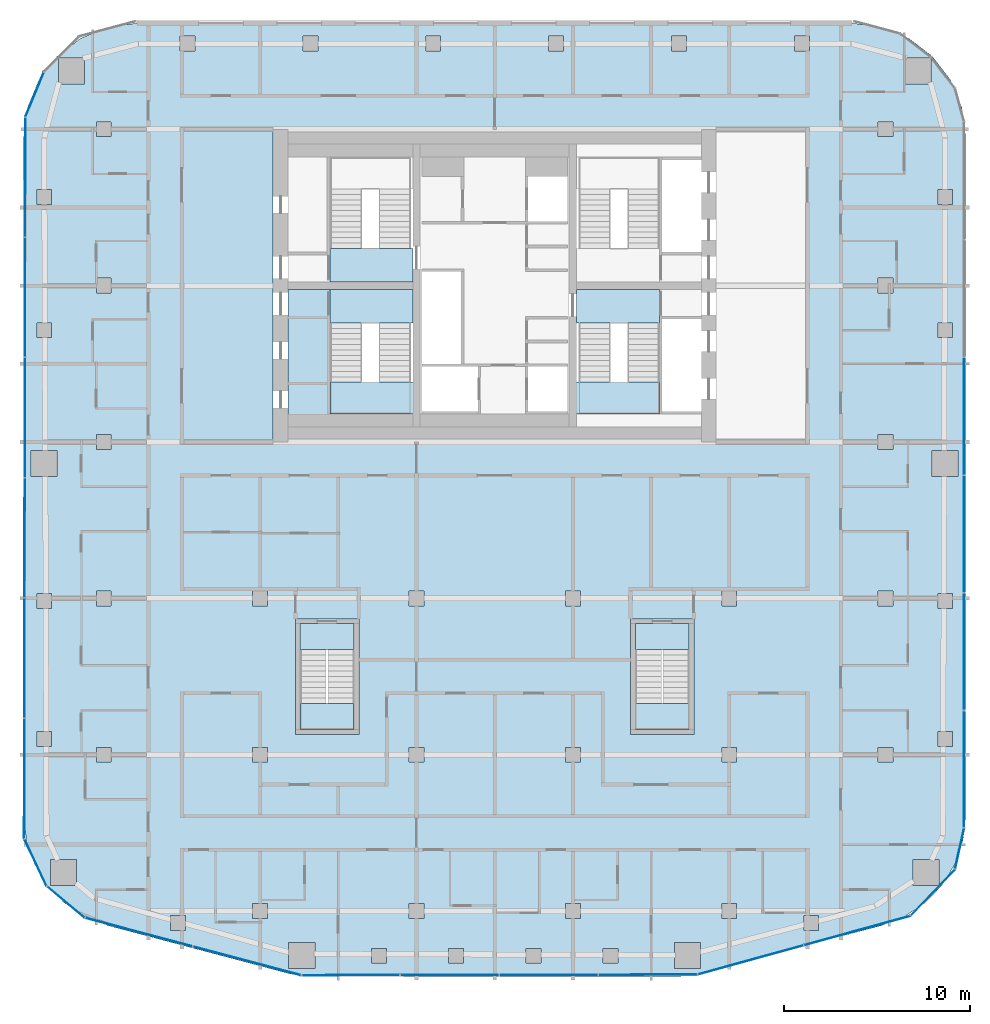
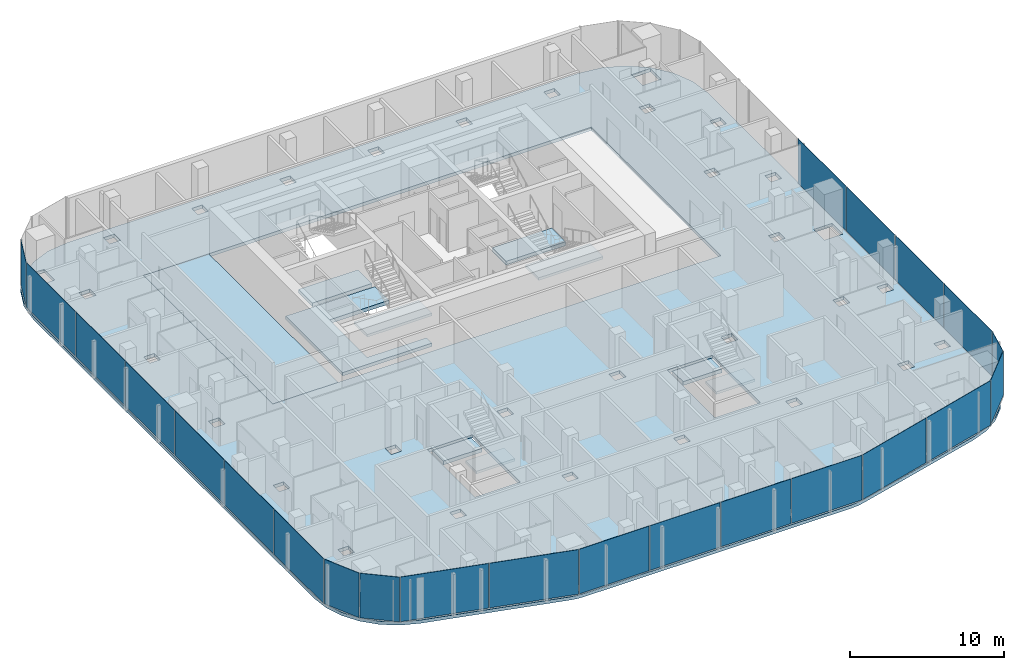
# One storey, part 12 of 22: 23 plates, 12 slabs, 14 elements without a shape of their own.
"""IFC4 building model written with IfcOpenShell, lengths in metres."""

import ifcopenshell
import ifcopenshell.guid

model = None  # the IFC model being written
_history = None  # IfcOwnerHistory: only IFC2X3 demands one
_inside = {}  # id of a spatial element -> (the spatial element, [elements in it])
_under = {}  # id of a project, library or spatial element -> (it, [spatial elements below it])
_declared = {}  # id of a project -> (the project, [libraries it declares])
_typed = {}  # id of a type object -> (the type object, [elements of that type])
_made_of = {}  # id of a material, layer set ... -> (it, [elements and type objects made of it])


def new_model(schema):
    """Start an empty IFC model of exactly this schema.

    Asked for "IFC4X3", IfcOpenShell would pick the latest addendum, in which some entities
    have other attributes; the version numbers below select the first issue.
    IFC2X3 requires an IfcOwnerHistory on every rooted entity: one is made here for all.
    """
    global model, _history
    if schema == "IFC4X3":
        model = ifcopenshell.file(schema_version=(4, 3, 0, 0))
    else:
        model = ifcopenshell.file(schema=schema)
    _inside.clear()
    _under.clear()
    _declared.clear()
    _typed.clear()
    _made_of.clear()
    _history = None
    if model.schema == "IFC2X3":
        org = make("IfcOrganization", Name="unknown")
        user = make(
            "IfcPersonAndOrganization",
            ThePerson=make("IfcPerson", FamilyName="unknown"),
            TheOrganization=org,
        )
        app = make(
            "IfcApplication",
            ApplicationDeveloper=org,
            Version="unknown",
            ApplicationFullName="unknown",
            ApplicationIdentifier="unknown",
        )
        _history = make(
            "IfcOwnerHistory",
            OwningUser=user,
            OwningApplication=app,
            ChangeAction="ADDED",
            CreationDate=0,
        )
    return model


def make(cls, **values):
    """One entity of the class cls with the attributes given. An attribute that is None is left unset."""
    return model.create_entity(
        cls, **{name: value for name, value in values.items() if value is not None}
    )


def rooted(cls, **values):
    """An entity with a GlobalId (a new one), such as an element, a storey or a relation."""
    return make(cls, GlobalId=ifcopenshell.guid.new(), OwnerHistory=_history, **values)


def si_unit(unit_type, name, prefix=None):
    """IfcSIUnit, for example si_unit("LENGTHUNIT", "METRE", prefix="MILLI")."""
    return make("IfcSIUnit", UnitType=unit_type, Prefix=prefix, Name=name)


def assignment(units):
    """IfcUnitAssignment: the units of a project."""
    return None if units is None else make("IfcUnitAssignment", Units=units)


def point(xyz):
    """IfcCartesianPoint."""
    return None if xyz is None else make("IfcCartesianPoint", Coordinates=xyz)


def direction(xyz):
    """IfcDirection."""
    return None if xyz is None else make("IfcDirection", DirectionRatios=xyz)


def frame(location, z_axis=None, x_axis=None):
    """IfcAxis2Placement3D, a coordinate frame: its origin and axes. An axis left out is left unset."""
    return make(
        "IfcAxis2Placement3D",
        Location=point(location),
        Axis=direction(z_axis),
        RefDirection=direction(x_axis),
    )


def frame_2d(location, x_axis=None):
    """IfcAxis2Placement2D, a coordinate frame in the plane: its origin and x axis."""
    return make(
        "IfcAxis2Placement2D", Location=point(location), RefDirection=direction(x_axis)
    )


def origin():
    """The frame at (0, 0, 0) with its axes left unset."""
    return frame((0.0, 0.0, 0.0))


def origin_2d():
    """The frame at (0, 0) in the plane with its x axis left unset."""
    return frame_2d((0.0, 0.0))


def place(relative_to, where):
    """IfcLocalPlacement: puts the frame where relative to a parent placement (None: the world)."""
    return make(
        "IfcLocalPlacement", PlacementRelTo=relative_to, RelativePlacement=where
    )


def context(
    kind, dimensions, precision=None, world=None, true_north=None, identifier=None
):
    """IfcGeometricRepresentationContext, for example the 3D "Model" context."""
    return make(
        "IfcGeometricRepresentationContext",
        ContextIdentifier=identifier,
        ContextType=kind,
        CoordinateSpaceDimension=dimensions,
        Precision=precision,
        WorldCoordinateSystem=world,
        TrueNorth=true_north,
    )


def subcontext(parent, identifier, kind, view, scale=None):
    """IfcGeometricRepresentationSubContext, for example "Body" below "Model"."""
    return make(
        "IfcGeometricRepresentationSubContext",
        ContextIdentifier=identifier,
        ContextType=kind,
        ParentContext=parent,
        TargetScale=scale,
        TargetView=view,
    )


def project(units=None, contexts=None):
    """IfcProject with its units and contexts."""
    return rooted(
        "IfcProject",
        Name="project",
        RepresentationContexts=contexts,
        UnitsInContext=assignment(units),
    )


def spatial(cls, under=None, at=None, **own):
    """A site, building, storey or space (cls), placed at a placement, below another one or the project."""
    s = rooted(cls, ObjectPlacement=at, **own)
    if under is not None:
        _under.setdefault(under.id(), (under, []))[1].append(s)
    return s


def polyline(points):
    """IfcPolyline through the points."""
    return make("IfcPolyline", Points=[point(p) for p in points])


def profile(cls, at=None, kind="AREA", **sizes):
    """A parametric profile (cls). Its sizes go by their IFC names, for example OverallWidth=200.0."""
    return make(cls, ProfileType=kind, Position=at, **sizes)


def rectangle(**sizes):
    """IfcRectangleProfileDef."""
    return profile("IfcRectangleProfileDef", **sizes)


def outline(outer, holes=None, kind="AREA"):
    """IfcArbitraryClosedProfileDef: a profile drawn as a closed curve; with holes, ...WithVoids."""
    if holes is None:
        return make("IfcArbitraryClosedProfileDef", ProfileType=kind, OuterCurve=outer)
    return make(
        "IfcArbitraryProfileDefWithVoids",
        ProfileType=kind,
        OuterCurve=outer,
        InnerCurves=holes,
    )


def extrude(swept, where, along, depth):
    """IfcExtrudedAreaSolid: the profile swept, set in the frame where, extruded along a direction by depth."""
    return make(
        "IfcExtrudedAreaSolid",
        SweptArea=swept,
        Position=where,
        ExtrudedDirection=direction(along),
        Depth=depth,
    )


def shape(context_of_items, identifier, shape_type, items):
    """IfcShapeRepresentation: the items that make up one representation, for example the "Body"."""
    return make(
        "IfcShapeRepresentation",
        ContextOfItems=context_of_items,
        RepresentationIdentifier=identifier,
        RepresentationType=shape_type,
        Items=items,
    )


def material(Name=None, Category=None):
    """IfcMaterial."""
    return make("IfcMaterial", Name=Name, Category=Category)


def layer(
    of_material, thickness, ventilated=None, Name=None, Category=None, Priority=None
):
    """IfcMaterialLayer: one layer of a wall or slab, of a material (None: an air gap)."""
    return make(
        "IfcMaterialLayer",
        Material=of_material,
        LayerThickness=thickness,
        IsVentilated=ventilated,
        Name=Name,
        Category=Category,
        Priority=Priority,
    )


def layer_set(layers, Name=None):
    """IfcMaterialLayerSet."""
    return make("IfcMaterialLayerSet", MaterialLayers=layers, LayerSetName=Name)


def made_of(thing, what):
    """Note that an element or type object is made of a material, layer set ...; save() writes the relation."""
    if what is not None:
        _made_of.setdefault(what.id(), (what, []))[1].append(thing)
    return thing


def type_object(cls, material=None, **own):
    """A type object (cls), such as IfcWallType, which elements share."""
    return made_of(rooted(cls, **own), material)


def element(
    cls,
    number,
    at=None,
    inside=None,
    cuts=None,
    type_object=None,
    material=None,
    context=None,
    identifier="Body",
    shape_type=None,
    held_by="IfcProductDefinitionShape",
    body=None,
    shapes=None,
    **own,
):
    """One element of the class cls, such as IfcWall. Its Tag is "e" and its number.

    at: its placement. inside: the storey or other place that contains it. cuts: it is an
    opening in that element (IfcRelVoidsElement). A single representation is given by context,
    identifier, shape_type and body (its items); several are given by shapes. held_by: the class
    of the entity that holds the representations. save() writes the other relations.
    """
    e = rooted(cls, Tag="e%d" % number, ObjectPlacement=at, **own)
    if body is not None:
        shapes = [shape(context, identifier, shape_type, body)]
    if shapes is not None:
        e.Representation = make(held_by, Representations=shapes)
    if inside is not None:
        _inside.setdefault(inside.id(), (inside, []))[1].append(e)
    if cuts is not None:
        rooted(
            "IfcRelVoidsElement", RelatingBuildingElement=cuts, RelatedOpeningElement=e
        )
    if type_object is not None:
        _typed.setdefault(type_object.id(), (type_object, []))[1].append(e)
    return made_of(e, material)


def aggregate(whole, parts):
    """IfcRelAggregates: a whole, such as a stair, and the parts it consists of."""
    return rooted("IfcRelAggregates", RelatingObject=whole, RelatedObjects=parts)


def save(model, path):
    """Write the relations noted so far, then the file.

    IfcRelAggregates (storeys below a building ...), IfcRelContainedInSpatialStructure (elements
    in a storey), IfcRelDefinesByType, IfcRelAssociatesMaterial and IfcRelDeclares: one each for
    every whole, place, type object, material and project.
    """
    for whole, parts in _under.values():
        aggregate(whole, parts)
    for where, things in _inside.values():
        rooted(
            "IfcRelContainedInSpatialStructure",
            RelatedElements=things,
            RelatingStructure=where,
        )
    for kind, things in _typed.values():
        rooted("IfcRelDefinesByType", RelatedObjects=things, RelatingType=kind)
    for what, things in _made_of.values():
        rooted("IfcRelAssociatesMaterial", RelatedObjects=things, RelatingMaterial=what)
    for by, libraries in _declared.values():
        rooted("IfcRelDeclares", RelatingContext=by, RelatedDefinitions=libraries)
    model.write(path)


model = new_model("IFC4")

# Units and contexts
model_context = context("Model", 3, precision=1e-05, world=origin(), true_north=direction((0.0, 1.0)))
body_context = subcontext(model_context, "Body", "Model", "MODEL_VIEW")
ifc_project = project(units=[si_unit("LENGTHUNIT", "METRE"), si_unit("AREAUNIT", "SQUARE_METRE"), si_unit("VOLUMEUNIT", "CUBIC_METRE"), si_unit("PLANEANGLEUNIT", "RADIAN"), si_unit("MASSUNIT", "GRAM", prefix="KILO")], contexts=[model_context])

# Site, building, storey
site_placement = place(None, origin())
site = spatial("IfcSite", under=ifc_project, at=site_placement, CompositionType="ELEMENT")
building_placement = place(site_placement, origin())
building = spatial("IfcBuilding", under=site, at=building_placement, Name="Marenta Gate Hotel Tower", CompositionType="ELEMENT")
storey_placement = place(building_placement, frame((0.0, 0.0, 238.10009765625)))
storey = spatial("IfcBuildingStorey", under=building, at=storey_placement, Name="L56", CompositionType="ELEMENT", Elevation=238.10009765625)

# Slabs
ifc_material_1 = material(Name="Concrete C35", Category="concrete")
ifc_layer_1 = layer(ifc_material_1, 0.260009765625)
ifc_layer_set_1 = layer_set([ifc_layer_1], Name="Concrete C35")
slab_type_1 = type_object("IfcSlabType", Name="Concrete floor slab 260", PredefinedType="FLOOR", material=ifc_layer_set_1)
slab_1_placement = place(storey_placement, frame((0.0, 0.0, -0.260009765625)))
element("IfcSlab", 1, at=slab_1_placement, inside=storey, type_object=slab_type_1, Name="L56-SL-1", PredefinedType="FLOOR", context=body_context, shape_type="SweptSolid", body=[
    extrude(outline(polyline([(-23.11376953125, -24.76416015625), (-24.035400390625, -23.803955078125), (-24.72705078125, -22.6669921875), (-25.155517578125, -21.4072265625), (-25.300048828125, -20.08984375), (-25.300048828125, 16.406494140625), (-25.093017578125, 17.97900390625), (-24.483642578125, 19.450439453125), (-23.513916015625, 20.7138671875), (-22.25048828125, 21.68359375), (-20.779052734375, 22.29296875), (-19.20654296875, 22.5), (19.20654296875, 22.5), (20.779052734375, 22.29296875), (22.25048828125, 21.68359375), (23.513916015625, 20.7138671875), (24.483642578125, 19.450439453125), (25.093017578125, 17.97900390625), (25.300048828125, 16.406494140625), (25.300048828125, -20.08984375), (25.155517578125, -21.4072265625), (24.72705078125, -22.6669921875), (24.035400390625, -23.803955078125), (23.11376953125, -24.76416015625), (22.005859375, -25.501220703125), (20.76953125, -25.978759765625), (11.026611328125, -28.563720703125), (10.508544921875, -28.665771484375), (9.981689453125, -28.699951171875), (-9.981689453125, -28.699951171875), (-10.508544921875, -28.665771484375), (-11.026611328125, -28.563720703125), (-20.76953125, -25.978759765625), (-22.005859375, -25.501220703125), (-23.11376953125, -24.76416015625)]), holes=[polyline([(-16.800048828125, 0.0), (16.800048828125, 0.0), (16.800048828125, 16.800048828125), (-16.800048828125, 16.800048828125), (-16.800048828125, 0.0)]), polyline([(-16.606689453125, -25.439208984375), (-17.40673828125, -25.439208984375), (-17.40673828125, -26.239013671875), (-16.606689453125, -26.239013671875), (-16.606689453125, -25.439208984375)]), polyline([(-12.199951171875, -25.60009765625), (-12.199951171875, -24.800048828125), (-13.0, -24.800048828125), (-13.0, -25.60009765625), (-12.199951171875, -25.60009765625)]), polyline([(-22.462890625, -23.8330078125), (-22.462890625, -22.43310546875), (-23.863037109375, -22.43310546875), (-23.863037109375, -23.8330078125), (-22.462890625, -23.8330078125)]), polyline([(-12.199951171875, -16.39990234375), (-13.0, -16.39990234375), (-13.0, -17.199951171875), (-12.199951171875, -17.199951171875), (-12.199951171875, -16.39990234375)]), polyline([(-20.60009765625, -17.199951171875), (-20.60009765625, -16.39990234375), (-21.39990234375, -16.39990234375), (-21.39990234375, -17.199951171875), (-20.60009765625, -17.199951171875)]), polyline([(-23.800048828125, -16.351806640625), (-23.800048828125, -15.552001953125), (-24.60009765625, -15.552001953125), (-24.60009765625, -16.351806640625), (-23.800048828125, -16.351806640625)]), polyline([(-23.800048828125, -8.15087890625), (-24.60009765625, -8.15087890625), (-24.60009765625, -8.950927734375), (-23.800048828125, -8.950927734375), (-23.800048828125, -8.15087890625)]), polyline([(-12.199951171875, -8.800048828125), (-12.199951171875, -8.0), (-13.0, -8.0), (-13.0, -8.800048828125), (-12.199951171875, -8.800048828125)]), polyline([(-20.60009765625, -8.800048828125), (-20.60009765625, -8.0), (-21.39990234375, -8.0), (-21.39990234375, -8.800048828125), (-20.60009765625, -8.800048828125)]), polyline([(-23.5, -0.449951171875), (-24.89990234375, -0.449951171875), (-24.89990234375, -1.85009765625), (-23.5, -1.85009765625), (-23.5, -0.449951171875)]), polyline([(-20.60009765625, -0.39990234375), (-20.60009765625, 0.39990234375), (-21.39990234375, 0.39990234375), (-21.39990234375, -0.39990234375), (-20.60009765625, -0.39990234375)]), polyline([(-23.800048828125, 5.603271484375), (-23.800048828125, 6.4033203125), (-24.60009765625, 6.4033203125), (-24.60009765625, 5.603271484375), (-23.800048828125, 5.603271484375)]), polyline([(-20.60009765625, 8.800048828125), (-21.39990234375, 8.800048828125), (-21.39990234375, 8.0), (-20.60009765625, 8.0), (-20.60009765625, 8.800048828125)]), polyline([(-23.800048828125, 12.75634765625), (-23.800048828125, 13.556396484375), (-24.60009765625, 13.556396484375), (-24.60009765625, 12.75634765625), (-23.800048828125, 12.75634765625)]), polyline([(-20.60009765625, 16.39990234375), (-20.60009765625, 17.199951171875), (-21.39990234375, 17.199951171875), (-21.39990234375, 16.39990234375), (-20.60009765625, 16.39990234375)]), polyline([(-22.035400390625, 20.635498046875), (-23.435546875, 20.635498046875), (-23.435546875, 19.235595703125), (-22.035400390625, 19.235595703125), (-22.035400390625, 20.635498046875)]), polyline([(-16.10693359375, 21.0), (-16.10693359375, 21.800048828125), (-16.906982421875, 21.800048828125), (-16.906982421875, 21.0), (-16.10693359375, 21.0)]), polyline([(-5.820068359375, -28.0), (-5.820068359375, -27.199951171875), (-6.6201171875, -27.199951171875), (-6.6201171875, -28.0), (-5.820068359375, -28.0)]), polyline([(6.6201171875, -27.199951171875), (5.820068359375, -27.199951171875), (5.820068359375, -28.0), (6.6201171875, -28.0), (6.6201171875, -27.199951171875)]), polyline([(2.473388671875, -28.0), (2.473388671875, -27.199951171875), (1.67333984375, -27.199951171875), (1.67333984375, -28.0), (2.473388671875, -28.0)]), polyline([(-1.67333984375, -28.0), (-1.67333984375, -27.199951171875), (-2.473388671875, -27.199951171875), (-2.473388671875, -28.0), (-1.67333984375, -28.0)]), polyline([(-9.666259765625, -28.27490234375), (-9.666259765625, -26.874755859375), (-11.06640625, -26.874755859375), (-11.06640625, -28.27490234375), (-9.666259765625, -28.27490234375)]), polyline([(11.06640625, -28.27490234375), (11.06640625, -26.874755859375), (9.666259765625, -26.874755859375), (9.666259765625, -28.27490234375), (11.06640625, -28.27490234375)]), polyline([(13.0, -25.60009765625), (13.0, -24.800048828125), (12.199951171875, -24.800048828125), (12.199951171875, -25.60009765625), (13.0, -25.60009765625)]), polyline([(4.60009765625, -25.60009765625), (4.60009765625, -24.800048828125), (3.800048828125, -24.800048828125), (3.800048828125, -25.60009765625), (4.60009765625, -25.60009765625)]), polyline([(-3.800048828125, -24.800048828125), (-4.60009765625, -24.800048828125), (-4.60009765625, -25.60009765625), (-3.800048828125, -25.60009765625), (-3.800048828125, -24.800048828125)]), polyline([(4.60009765625, -17.199951171875), (4.60009765625, -16.39990234375), (3.800048828125, -16.39990234375), (3.800048828125, -17.199951171875), (4.60009765625, -17.199951171875)]), polyline([(-3.800048828125, -17.199951171875), (-3.800048828125, -16.39990234375), (-4.60009765625, -16.39990234375), (-4.60009765625, -17.199951171875), (-3.800048828125, -17.199951171875)]), polyline([(4.60009765625, -8.0), (3.800048828125, -8.0), (3.800048828125, -8.800048828125), (4.60009765625, -8.800048828125), (4.60009765625, -8.0)]), polyline([(-3.800048828125, -8.800048828125), (-3.800048828125, -8.0), (-4.60009765625, -8.0), (-4.60009765625, -8.800048828125), (-3.800048828125, -8.800048828125)]), polyline([(-2.9013671875, 21.0), (-2.9013671875, 21.800048828125), (-3.701416015625, 21.800048828125), (-3.701416015625, 21.0), (-2.9013671875, 21.0)]), polyline([(3.701416015625, 21.800048828125), (2.9013671875, 21.800048828125), (2.9013671875, 21.0), (3.701416015625, 21.0), (3.701416015625, 21.800048828125)]), polyline([(10.30419921875, 21.0), (10.30419921875, 21.800048828125), (9.504150390625, 21.800048828125), (9.504150390625, 21.0), (10.30419921875, 21.0)]), polyline([(-9.504150390625, 21.0), (-9.504150390625, 21.800048828125), (-10.30419921875, 21.800048828125), (-10.30419921875, 21.0), (-9.504150390625, 21.0)]), polyline([(17.40673828125, -25.439208984375), (16.606689453125, -25.439208984375), (16.606689453125, -26.239013671875), (17.40673828125, -26.239013671875), (17.40673828125, -25.439208984375)]), polyline([(23.863037109375, -23.8330078125), (23.863037109375, -22.43310546875), (22.462890625, -22.43310546875), (22.462890625, -23.8330078125), (23.863037109375, -23.8330078125)]), polyline([(13.0, -17.199951171875), (13.0, -16.39990234375), (12.199951171875, -16.39990234375), (12.199951171875, -17.199951171875), (13.0, -17.199951171875)]), polyline([(21.39990234375, -16.39990234375), (20.60009765625, -16.39990234375), (20.60009765625, -17.199951171875), (21.39990234375, -17.199951171875), (21.39990234375, -16.39990234375)]), polyline([(24.60009765625, -16.351806640625), (24.60009765625, -15.552001953125), (23.800048828125, -15.552001953125), (23.800048828125, -16.351806640625), (24.60009765625, -16.351806640625)]), polyline([(24.60009765625, -8.950927734375), (24.60009765625, -8.15087890625), (23.800048828125, -8.15087890625), (23.800048828125, -8.950927734375), (24.60009765625, -8.950927734375)]), polyline([(13.0, -8.0), (12.199951171875, -8.0), (12.199951171875, -8.800048828125), (13.0, -8.800048828125), (13.0, -8.0)]), polyline([(21.39990234375, -8.800048828125), (21.39990234375, -8.0), (20.60009765625, -8.0), (20.60009765625, -8.800048828125), (21.39990234375, -8.800048828125)]), polyline([(24.89990234375, -1.85009765625), (24.89990234375, -0.449951171875), (23.5, -0.449951171875), (23.5, -1.85009765625), (24.89990234375, -1.85009765625)]), polyline([(21.39990234375, 0.39990234375), (20.60009765625, 0.39990234375), (20.60009765625, -0.39990234375), (21.39990234375, -0.39990234375), (21.39990234375, 0.39990234375)]), polyline([(24.60009765625, 5.603271484375), (24.60009765625, 6.4033203125), (23.800048828125, 6.4033203125), (23.800048828125, 5.603271484375), (24.60009765625, 5.603271484375)]), polyline([(21.39990234375, 8.0), (21.39990234375, 8.800048828125), (20.60009765625, 8.800048828125), (20.60009765625, 8.0), (21.39990234375, 8.0)]), polyline([(24.60009765625, 12.75634765625), (24.60009765625, 13.556396484375), (23.800048828125, 13.556396484375), (23.800048828125, 12.75634765625), (24.60009765625, 12.75634765625)]), polyline([(21.39990234375, 16.39990234375), (21.39990234375, 17.199951171875), (20.60009765625, 17.199951171875), (20.60009765625, 16.39990234375), (21.39990234375, 16.39990234375)]), polyline([(23.435546875, 19.235595703125), (23.435546875, 20.635498046875), (22.035400390625, 20.635498046875), (22.035400390625, 19.235595703125), (23.435546875, 19.235595703125)]), polyline([(16.906982421875, 21.0), (16.906982421875, 21.800048828125), (16.10693359375, 21.800048828125), (16.10693359375, 21.0), (16.906982421875, 21.0)]), polyline([(-7.300048828125, -15.699951171875), (-7.300048828125, -9.5), (-10.699951171875, -9.5), (-10.699951171875, -15.699951171875), (-7.300048828125, -15.699951171875)]), polyline([(10.699951171875, -15.699951171875), (10.699951171875, -9.5), (7.300048828125, -9.5), (7.300048828125, -15.699951171875), (10.699951171875, -15.699951171875)])]), origin(), (0.0, 0.0, 1.0), 0.260009765625),
])
ifc_material_2 = material(Name="Concrete C40", Category="concrete")
ifc_layer_2 = layer(ifc_material_2, 0.260009765625)
ifc_layer_set_2 = layer_set([ifc_layer_2], Name="Concrete C40")
slab_type_2 = type_object("IfcSlabType", Name="Core floor slab 260", PredefinedType="FLOOR", material=ifc_layer_set_2)
slab_2_placement = place(storey_placement, frame((0.0, 0.0, -0.260009765625)))
element("IfcSlab", 2, at=slab_2_placement, inside=storey, type_object=slab_type_2, Name="L56-CF-5", PredefinedType="FLOOR", context=body_context, shape_type="SweptSolid", body=[
    extrude(outline(polyline([(-8.85009765625, 8.199951171875), (-8.85009765625, 8.10009765625), (-8.85009765625, 6.39990234375), (-8.85009765625, 1.5), (-4.39990234375, 1.5), (-4.39990234375, 0.800048828125), (-11.10009765625, 0.800048828125), (-11.10009765625, 8.199951171875), (-8.85009765625, 8.199951171875)])), origin(), (0.0, 0.0, 1.0), 0.260009765625),
])
slab_3_placement = place(storey_placement, frame((0.0, 0.0, -0.260009765625)))
element("IfcSlab", 3, at=slab_3_placement, inside=storey, type_object=slab_type_2, Name="L56-CF-7", PredefinedType="FLOOR", context=body_context, shape_type="SweptSolid", body=[
    extrude(outline(polyline([(-11.89990234375, 16.800048828125), (-11.89990234375, 0.0), (-16.800048828125, 0.0), (-16.800048828125, 16.800048828125), (-11.89990234375, 16.800048828125)])), origin(), (0.0, 0.0, 1.0), 0.260009765625),
])

# Stair, slab
ifc_material_3 = material(Name="Concrete C40", Category="concrete")
stair_type_1 = type_object("IfcStairType", Name="Core exit stair 1700 wide", PredefinedType="HALF_TURN_STAIR", material=ifc_material_3)
stair_1_placement = place(storey_placement, origin())
stair_1 = element("IfcStair", 4, at=stair_1_placement, inside=storey, type_object=stair_type_1, Name="Exit stair 1", PredefinedType="HALF_TURN_STAIR")
ifc_material_4 = material(Name="Concrete C40", Category="concrete")
ifc_layer_3 = layer(ifc_material_4, 0.199951171875)
ifc_layer_set_3 = layer_set([ifc_layer_3], Name="Concrete C40")
slab_type_3 = type_object("IfcSlabType", Name="Core stair landing 200", PredefinedType="LANDING", material=ifc_layer_set_3)
slab_4_placement = place(storey_placement, frame((0.0, 0.0, 1.599853515625)))
slab_4 = element("IfcSlab", 5, at=slab_4_placement, type_object=slab_type_3, Name="SL-200 ST1 landing 1", PredefinedType="LANDING", context=body_context, shape_type="SweptSolid", body=[
    extrude(outline(polyline([(-8.85009765625, 1.5), (-4.0, 1.5), (-4.0, 3.2099609375), (-8.85009765625, 3.2099609375), (-8.85009765625, 1.5)])), origin(), (0.0, 0.0, 1.0), 0.199951171875),
])
aggregate(stair_1, [slab_4])

stair_2_placement = place(storey_placement, origin())
stair_2 = element("IfcStair", 6, at=stair_2_placement, inside=storey, type_object=stair_type_1, Name="Exit stair 3", PredefinedType="HALF_TURN_STAIR")
slab_5_placement = place(storey_placement, frame((0.0, 0.0, 1.599853515625)))
slab_5 = element("IfcSlab", 7, at=slab_5_placement, type_object=slab_type_3, Name="SL-200 ST3 landing 1", PredefinedType="LANDING", context=body_context, shape_type="SweptSolid", body=[
    extrude(outline(polyline([(4.0, 1.5), (8.85009765625, 1.5), (8.85009765625, 3.2099609375), (4.0, 3.2099609375), (4.0, 1.5)])), origin(), (0.0, 0.0, 1.0), 0.199951171875),
])
aggregate(stair_2, [slab_5])

# Curtain wall, plate
ifc_material_5 = material(Name="Tinted insulated glass in bronze anodised frame", Category="glass")
ifc_layer_4 = layer(ifc_material_5, 0.1201171875)
ifc_layer_set_4 = layer_set([ifc_layer_4], Name="Tinted insulated glass in bronze anodised frame")
curtain_wall_type = type_object("IfcCurtainWallType", Name="Tower unitised curtain wall CW1", PredefinedType="NOTDEFINED", material=ifc_layer_set_4)
curtain_wall_1_placement = place(storey_placement, origin())
curtain_wall_1 = element("IfcCurtainWall", 8, at=curtain_wall_1_placement, inside=storey, type_object=curtain_wall_type, Name="CW1 run G02", PredefinedType="NOTDEFINED")
ifc_material_6 = material(Name="Tinted insulated glass", Category="glass")
ifc_layer_5 = layer(ifc_material_6, 0.028076171875)
ifc_layer_set_5 = layer_set([ifc_layer_5], Name="Tinted insulated glass")
plate_type = type_object("IfcPlateType", Name="Glass panel CW1 28 mm tinted insulated unit", PredefinedType="CURTAIN_PANEL", material=ifc_layer_set_5)
plate_1_placement = place(storey_placement, frame((-24.719482421875, 18.656005859375, 0.059814453125), z_axis=(0.0, 0.0, 1.0), x_axis=(-0.382666772044, -0.923886433266, 0.0)))
plate_1 = element("IfcPlate", 9, at=plate_1_placement, type_object=plate_type, Name="CW1 panel 1.1", PredefinedType="CURTAIN_PANEL", context=body_context, shape_type="SweptSolid", body=[
    extrude(rectangle(XDim=2.57568359375, YDim=0.028076171875, at=origin_2d()), origin(), (0.0, 0.0, 1.0), 3.5400390625),
])
aggregate(curtain_wall_1, [plate_1])

# Curtain wall, plates
curtain_wall_2_placement = place(storey_placement, origin())
curtain_wall_2 = element("IfcCurtainWall", 10, at=curtain_wall_2_placement, inside=storey, type_object=curtain_wall_type, Name="CW1 run G03", PredefinedType="NOTDEFINED")
plate_2_placement = place(storey_placement, frame((-25.21728515625, 14.22119140625, 0.059814453125), z_axis=(0.0, 0.0, 1.0), x_axis=(-0.001566045546, -0.99999877375, 0.0)))
plate_2 = element("IfcPlate", 11, at=plate_2_placement, type_object=plate_type, Name="CW1 panel 1.1", PredefinedType="CURTAIN_PANEL", context=body_context, shape_type="SweptSolid", body=[
    extrude(rectangle(XDim=6.3701171875, YDim=0.028076171875, at=origin_2d()), origin(), (0.0, 0.0, 1.0), 3.5400390625),
])
plate_3_placement = place(storey_placement, frame((-25.2275390625, 7.776123046875, 0.059814453125), z_axis=(0.0, 0.0, 1.0), x_axis=(-0.001566045546, -0.99999877375, 0.0)))
plate_3 = element("IfcPlate", 12, at=plate_3_placement, type_object=plate_type, Name="CW1 panel 2.1", PredefinedType="CURTAIN_PANEL", context=body_context, shape_type="SweptSolid", body=[
    extrude(rectangle(XDim=6.39990234375, YDim=0.028076171875, at=origin_2d()), origin(), (0.0, 0.0, 1.0), 3.5400390625),
])
plate_4_placement = place(storey_placement, frame((-25.237548828125, 1.316162109375, 0.059814453125), z_axis=(0.0, 0.0, 1.0), x_axis=(-0.001566045546, -0.99999877375, 0.0)))
plate_4 = element("IfcPlate", 13, at=plate_4_placement, type_object=plate_type, Name="CW1 panel 3.1", PredefinedType="CURTAIN_PANEL", context=body_context, shape_type="SweptSolid", body=[
    extrude(rectangle(XDim=6.39990234375, YDim=0.028076171875, at=origin_2d()), origin(), (0.0, 0.0, 1.0), 3.5400390625),
])
plate_5_placement = place(storey_placement, frame((-25.247802734375, -5.143798828125, 0.059814453125), z_axis=(0.0, 0.0, 1.0), x_axis=(-0.001566045546, -0.99999877375, 0.0)))
plate_5 = element("IfcPlate", 14, at=plate_5_placement, type_object=plate_type, Name="CW1 panel 4.1", PredefinedType="CURTAIN_PANEL", context=body_context, shape_type="SweptSolid", body=[
    extrude(rectangle(XDim=6.39990234375, YDim=0.028076171875, at=origin_2d()), origin(), (0.0, 0.0, 1.0), 3.5400390625),
])
plate_6_placement = place(storey_placement, frame((-25.2578125, -11.603759765625, 0.059814453125), z_axis=(0.0, 0.0, 1.0), x_axis=(-0.001566045546, -0.99999877375, 0.0)))
plate_6 = element("IfcPlate", 15, at=plate_6_placement, type_object=plate_type, Name="CW1 panel 5.1", PredefinedType="CURTAIN_PANEL", context=body_context, shape_type="SweptSolid", body=[
    extrude(rectangle(XDim=6.39990234375, YDim=0.028076171875, at=origin_2d()), origin(), (0.0, 0.0, 1.0), 3.5400390625),
])
plate_7_placement = place(storey_placement, frame((-25.26806640625, -18.078857421875, 0.059814453125), z_axis=(0.0, 0.0, 1.0), x_axis=(-0.001566045546, -0.99999877375, 0.0)))
plate_7 = element("IfcPlate", 16, at=plate_7_placement, type_object=plate_type, Name="CW1 panel 6.1", PredefinedType="CURTAIN_PANEL", context=body_context, shape_type="SweptSolid", body=[
    extrude(rectangle(XDim=6.429931640625, YDim=0.028076171875, at=origin_2d()), origin(), (0.0, 0.0, 1.0), 3.5400390625),
])
aggregate(curtain_wall_2, [plate_2, plate_3, plate_4, plate_5, plate_6, plate_7])

# Curtain wall, plate
curtain_wall_3_placement = place(storey_placement, origin())
curtain_wall_3 = element("IfcCurtainWall", 17, at=curtain_wall_3_placement, inside=storey, type_object=curtain_wall_type, Name="CW1 run G04", PredefinedType="NOTDEFINED")
plate_8_placement = place(storey_placement, frame((-24.665283203125, -22.594482421875, 0.059814453125), z_axis=(0.0, 0.0, 1.0), x_axis=(0.42333719762, -0.905972194447, 0.0)))
plate_8 = element("IfcPlate", 18, at=plate_8_placement, type_object=plate_type, Name="CW1 panel 1.1", PredefinedType="CURTAIN_PANEL", context=body_context, shape_type="SweptSolid", body=[
    extrude(rectangle(XDim=2.751220703125, YDim=0.028076171875, at=origin_2d()), origin(), (0.0, 0.0, 1.0), 3.5400390625),
])
aggregate(curtain_wall_3, [plate_8])

curtain_wall_4_placement = place(storey_placement, origin())
curtain_wall_4 = element("IfcCurtainWall", 19, at=curtain_wall_4_placement, inside=storey, type_object=curtain_wall_type, Name="CW1 run G05", PredefinedType="NOTDEFINED")
plate_9_placement = place(storey_placement, frame((-23.0361328125, -24.716064453125, 0.059814453125), z_axis=(0.0, 0.0, 1.0), x_axis=(0.767102345594, -0.641524739495, 0.0)))
plate_9 = element("IfcPlate", 20, at=plate_9_placement, type_object=plate_type, Name="CW1 panel 1.1", PredefinedType="CURTAIN_PANEL", context=body_context, shape_type="SweptSolid", body=[
    extrude(rectangle(XDim=2.609375, YDim=0.028076171875, at=origin_2d()), origin(), (0.0, 0.0, 1.0), 3.5400390625),
])
aggregate(curtain_wall_4, [plate_9])

# Curtain wall, plates
curtain_wall_5_placement = place(storey_placement, origin())
curtain_wall_5 = element("IfcCurtainWall", 21, at=curtain_wall_5_placement, inside=storey, type_object=curtain_wall_type, Name="CW1 run G06", PredefinedType="NOTDEFINED")
plate_10_placement = place(storey_placement, frame((-19.113525390625, -26.33056640625, 0.059814453125), z_axis=(0.0, 0.0, 1.0), x_axis=(0.966374375295, -0.257139197271, 0.0)))
plate_10 = element("IfcPlate", 22, at=plate_10_placement, type_object=plate_type, Name="CW1 panel 1.1", PredefinedType="CURTAIN_PANEL", context=body_context, shape_type="SweptSolid", body=[
    extrude(rectangle(XDim=5.927001953125, YDim=0.028076171875, at=origin_2d()), origin(), (0.0, 0.0, 1.0), 3.5400390625),
])
plate_11_placement = place(storey_placement, frame((-13.298828125, -27.877685546875, 0.059814453125), z_axis=(0.0, 0.0, 1.0), x_axis=(0.966374375295, -0.257139197271, 0.0)))
plate_11 = element("IfcPlate", 23, at=plate_11_placement, type_object=plate_type, Name="CW1 panel 2.1", PredefinedType="CURTAIN_PANEL", context=body_context, shape_type="SweptSolid", body=[
    extrude(rectangle(XDim=5.987060546875, YDim=0.028076171875, at=origin_2d()), origin(), (0.0, 0.0, 1.0), 3.5400390625),
])
aggregate(curtain_wall_5, [plate_10, plate_11])

curtain_wall_6_placement = place(storey_placement, origin())
curtain_wall_6 = element("IfcCurtainWall", 24, at=curtain_wall_6_placement, inside=storey, type_object=curtain_wall_type, Name="CW1 run G07", PredefinedType="NOTDEFINED")
plate_12_placement = place(storey_placement, frame((-7.73095703125, -28.64306640625, 0.059814453125), z_axis=(0.0, 0.0, 1.0), x_axis=(0.999998647385, 0.001644757804, 0.0)))
plate_12 = element("IfcPlate", 25, at=plate_12_placement, type_object=plate_type, Name="CW1 panel 1.1", PredefinedType="CURTAIN_PANEL", context=body_context, shape_type="SweptSolid", body=[
    extrude(rectangle(XDim=5.22998046875, YDim=0.028076171875, at=origin_2d()), origin(), (0.0, 0.0, 1.0), 3.5400390625),
])
plate_13_placement = place(storey_placement, frame((-2.426025390625, -28.63427734375, 0.059814453125), z_axis=(0.0, 0.0, 1.0), x_axis=(0.999998647385, 0.001644757804, 0.0)))
plate_13 = element("IfcPlate", 26, at=plate_13_placement, type_object=plate_type, Name="CW1 panel 2.1", PredefinedType="CURTAIN_PANEL", context=body_context, shape_type="SweptSolid", body=[
    extrude(rectangle(XDim=5.260009765625, YDim=0.028076171875, at=origin_2d()), origin(), (0.0, 0.0, 1.0), 3.5400390625),
])
plate_14_placement = place(storey_placement, frame((2.893798828125, -28.625732421875, 0.059814453125), z_axis=(0.0, 0.0, 1.0), x_axis=(0.999998647385, 0.001644757804, 0.0)))
plate_14 = element("IfcPlate", 27, at=plate_14_placement, type_object=plate_type, Name="CW1 panel 3.1", PredefinedType="CURTAIN_PANEL", context=body_context, shape_type="SweptSolid", body=[
    extrude(rectangle(XDim=5.260009765625, YDim=0.028076171875, at=origin_2d()), origin(), (0.0, 0.0, 1.0), 3.5400390625),
])
plate_15_placement = place(storey_placement, frame((8.228759765625, -28.616943359375, 0.059814453125), z_axis=(0.0, 0.0, 1.0), x_axis=(0.999998647385, 0.001644757804, 0.0)))
plate_15 = element("IfcPlate", 28, at=plate_15_placement, type_object=plate_type, Name="CW1 panel 4.1", PredefinedType="CURTAIN_PANEL", context=body_context, shape_type="SweptSolid", body=[
    extrude(rectangle(XDim=5.289794921875, YDim=0.028076171875, at=origin_2d()), origin(), (0.0, 0.0, 1.0), 3.5400390625),
])
aggregate(curtain_wall_6, [plate_12, plate_13, plate_14, plate_15])

curtain_wall_7_placement = place(storey_placement, origin())
curtain_wall_7 = element("IfcCurtainWall", 29, at=curtain_wall_7_placement, inside=storey, type_object=curtain_wall_type, Name="CW1 run G08", PredefinedType="NOTDEFINED")
plate_16_placement = place(storey_placement, frame((13.7509765625, -27.82080078125, 0.059814453125), z_axis=(0.0, 0.0, 1.0), x_axis=(0.964167765212, 0.265293272675, 0.0)))
plate_16 = element("IfcPlate", 30, at=plate_16_placement, type_object=plate_type, Name="CW1 panel 1.1", PredefinedType="CURTAIN_PANEL", context=body_context, shape_type="SweptSolid", body=[
    extrude(rectangle(XDim=5.848388671875, YDim=0.028076171875, at=origin_2d()), origin(), (0.0, 0.0, 1.0), 3.5400390625),
])
plate_17_placement = place(storey_placement, frame((19.4765625, -26.245361328125, 0.059814453125), z_axis=(0.0, 0.0, 1.0), x_axis=(0.964167765212, 0.265293272675, 0.0)))
plate_17 = element("IfcPlate", 31, at=plate_17_placement, type_object=plate_type, Name="CW1 panel 2.1", PredefinedType="CURTAIN_PANEL", context=body_context, shape_type="SweptSolid", body=[
    extrude(rectangle(XDim=5.908203125, YDim=0.028076171875, at=origin_2d()), origin(), (0.0, 0.0, 1.0), 3.5400390625),
])
aggregate(curtain_wall_7, [plate_16, plate_17])

# Curtain wall, plate
curtain_wall_8_placement = place(storey_placement, origin())
curtain_wall_8 = element("IfcCurtainWall", 32, at=curtain_wall_8_placement, inside=storey, type_object=curtain_wall_type, Name="CW1 run G09", PredefinedType="NOTDEFINED")
plate_18_placement = place(storey_placement, frame((23.543212890625, -24.1923828125, 0.059814453125), z_axis=(0.0, 0.0, 1.0), x_axis=(0.692548076564, 0.72137172224, 0.0)))
plate_18 = element("IfcPlate", 33, at=plate_18_placement, type_object=plate_type, Name="CW1 panel 1.1", PredefinedType="CURTAIN_PANEL", context=body_context, shape_type="SweptSolid", body=[
    extrude(rectangle(XDim=3.39892578125, YDim=0.028076171875, at=origin_2d()), origin(), (0.0, 0.0, 1.0), 3.5400390625),
])
aggregate(curtain_wall_8, [plate_18])

curtain_wall_9_placement = place(storey_placement, origin())
curtain_wall_9 = element("IfcCurtainWall", 34, at=curtain_wall_9_placement, inside=storey, type_object=curtain_wall_type, Name="CW1 run G10", PredefinedType="NOTDEFINED")
plate_19_placement = place(storey_placement, frame((24.9736328125, -21.825927734375, 0.059814453125), z_axis=(0.0, 0.0, 1.0), x_axis=(0.216842096529, 0.97620669183, 0.0)))
plate_19 = element("IfcPlate", 35, at=plate_19_placement, type_object=plate_type, Name="CW1 panel 1.1", PredefinedType="CURTAIN_PANEL", context=body_context, shape_type="SweptSolid", body=[
    extrude(rectangle(XDim=2.216796875, YDim=0.028076171875, at=origin_2d()), origin(), (0.0, 0.0, 1.0), 3.5400390625),
])
aggregate(curtain_wall_9, [plate_19])

# Curtain wall, plates
curtain_wall_10_placement = place(storey_placement, origin())
curtain_wall_10 = element("IfcCurtainWall", 36, at=curtain_wall_10_placement, inside=storey, type_object=curtain_wall_type, Name="CW1 run G11", PredefinedType="NOTDEFINED")
plate_20_placement = place(storey_placement, frame((25.214111328125, -17.567626953125, 0.059814453125), z_axis=(0.0, 0.0, 1.0), x_axis=(0.0, 1.0, 0.0)))
plate_20 = element("IfcPlate", 37, at=plate_20_placement, type_object=plate_type, Name="CW1 panel 1.1", PredefinedType="CURTAIN_PANEL", context=body_context, shape_type="SweptSolid", body=[
    extrude(rectangle(XDim=6.232666015625, YDim=0.028076171875, at=origin_2d()), origin(), (0.0, 0.0, 1.0), 3.5400390625),
])
plate_21_placement = place(storey_placement, frame((25.214111328125, -11.260009765625, 0.059814453125), z_axis=(0.0, 0.0, 1.0), x_axis=(0.0, 1.0, 0.0)))
plate_21 = element("IfcPlate", 38, at=plate_21_placement, type_object=plate_type, Name="CW1 panel 2.1", PredefinedType="CURTAIN_PANEL", context=body_context, shape_type="SweptSolid", body=[
    extrude(rectangle(XDim=6.2626953125, YDim=0.028076171875, at=origin_2d()), origin(), (0.0, 0.0, 1.0), 3.5400390625),
])
plate_22_placement = place(storey_placement, frame((25.214111328125, -4.937255859375, 0.059814453125), z_axis=(0.0, 0.0, 1.0), x_axis=(0.0, 1.0, 0.0)))
plate_22 = element("IfcPlate", 39, at=plate_22_placement, type_object=plate_type, Name="CW1 panel 3.1", PredefinedType="CURTAIN_PANEL", context=body_context, shape_type="SweptSolid", body=[
    extrude(rectangle(XDim=6.2626953125, YDim=0.028076171875, at=origin_2d()), origin(), (0.0, 0.0, 1.0), 3.5400390625),
])
plate_23_placement = place(storey_placement, frame((25.214111328125, 1.38525390625, 0.059814453125), z_axis=(0.0, 0.0, 1.0), x_axis=(0.0, 1.0, 0.0)))
plate_23 = element("IfcPlate", 40, at=plate_23_placement, type_object=plate_type, Name="CW1 panel 4.1", PredefinedType="CURTAIN_PANEL", context=body_context, shape_type="SweptSolid", body=[
    extrude(rectangle(XDim=6.2626953125, YDim=0.028076171875, at=origin_2d()), origin(), (0.0, 0.0, 1.0), 3.5400390625),
])
aggregate(curtain_wall_10, [plate_20, plate_21, plate_22, plate_23])

# Stair, slab
ifc_material_7 = material(Name="Concrete C40", Category="concrete")
stair_type_2 = type_object("IfcStairType", Name="Remote exit stair 1400 wide", PredefinedType="HALF_TURN_STAIR", material=ifc_material_7)
stair_3_placement = place(storey_placement, origin())
stair_3 = element("IfcStair", 41, at=stair_3_placement, inside=storey, type_object=stair_type_2, Name="Exit stair RS-Z3-1", PredefinedType="HALF_TURN_STAIR")
ifc_material_8 = material(Name="Concrete C40", Category="concrete")
ifc_layer_6 = layer(ifc_material_8, 0.199951171875)
ifc_layer_set_6 = layer_set([ifc_layer_6], Name="Concrete C40")
slab_type_4 = type_object("IfcSlabType", Name="Remote stair landing 200", PredefinedType="LANDING", material=ifc_layer_set_6)
slab_6_placement = place(storey_placement, frame((0.0, 0.0, 1.599853515625)))
slab_6 = element("IfcSlab", 42, at=slab_6_placement, type_object=slab_type_4, Name="RL-200 RS-Z3-1 landing 1", PredefinedType="LANDING", context=body_context, shape_type="SweptSolid", body=[
    extrude(outline(polyline([(-10.449951171875, -15.449951171875), (-7.550048828125, -15.449951171875), (-7.550048828125, -14.050048828125), (-10.449951171875, -14.050048828125), (-10.449951171875, -15.449951171875)])), origin(), (0.0, 0.0, 1.0), 0.199951171875),
])
aggregate(stair_3, [slab_6])

stair_4_placement = place(storey_placement, origin())
stair_4 = element("IfcStair", 43, at=stair_4_placement, inside=storey, type_object=stair_type_2, Name="Exit stair RS-Z3-2", PredefinedType="HALF_TURN_STAIR")
slab_7_placement = place(storey_placement, frame((0.0, 0.0, 1.599853515625)))
slab_7 = element("IfcSlab", 44, at=slab_7_placement, type_object=slab_type_4, Name="RL-200 RS-Z3-2 landing 1", PredefinedType="LANDING", context=body_context, shape_type="SweptSolid", body=[
    extrude(outline(polyline([(7.550048828125, -15.449951171875), (10.449951171875, -15.449951171875), (10.449951171875, -14.050048828125), (7.550048828125, -14.050048828125), (7.550048828125, -15.449951171875)])), origin(), (0.0, 0.0, 1.0), 0.199951171875),
])
aggregate(stair_4, [slab_7])

# Slabs
ifc_material_9 = material(Name="Concrete C40", Category="concrete")
ifc_layer_7 = layer(ifc_material_9, 0.300048828125)
ifc_layer_set_7 = layer_set([ifc_layer_7], Name="Concrete C40")
slab_type_5 = type_object("IfcSlabType", Name="Stair floor landing slab 300", PredefinedType="FLOOR", material=ifc_layer_set_7)
slab_8_placement = place(storey_placement, frame((0.0, 0.0, -0.300048828125)))
element("IfcSlab", 45, at=slab_8_placement, inside=storey, type_object=slab_type_5, Name="L56-CL-ST1-1", PredefinedType="FLOOR", context=body_context, shape_type="SweptSolid", body=[
    extrude(outline(polyline([(-4.39990234375, 6.39990234375), (-8.85009765625, 6.39990234375), (-8.85009765625, 8.10009765625), (-8.85009765625, 8.199951171875), (-4.39990234375, 8.199951171875), (-4.39990234375, 6.39990234375)])), origin(), (0.0, 0.0, 1.0), 0.300048828125),
])
slab_9_placement = place(storey_placement, frame((0.0, 0.0, -0.300048828125)))
element("IfcSlab", 46, at=slab_9_placement, inside=storey, type_object=slab_type_5, Name="L56-CL-ST2-1", PredefinedType="FLOOR", context=body_context, shape_type="SweptSolid", body=[
    extrude(outline(polyline([(-4.39990234375, 8.60009765625), (-8.85009765625, 8.60009765625), (-8.85009765625, 8.699951171875), (-8.85009765625, 10.39990234375), (-4.39990234375, 10.39990234375), (-4.39990234375, 8.60009765625)])), origin(), (0.0, 0.0, 1.0), 0.300048828125),
])
slab_10_placement = place(storey_placement, frame((0.0, 0.0, -0.300048828125)))
element("IfcSlab", 47, at=slab_10_placement, inside=storey, type_object=slab_type_5, Name="L56-CL-ST3-1", PredefinedType="FLOOR", context=body_context, shape_type="SweptSolid", body=[
    extrude(outline(polyline([(4.39990234375, 6.39990234375), (4.39990234375, 8.199951171875), (8.85009765625, 8.199951171875), (8.85009765625, 8.10009765625), (8.85009765625, 6.39990234375), (4.39990234375, 6.39990234375)])), origin(), (0.0, 0.0, 1.0), 0.300048828125),
])
slab_11_placement = place(storey_placement, frame((0.0, 0.0, -0.300048828125)))
element("IfcSlab", 48, at=slab_11_placement, inside=storey, type_object=slab_type_5, Name="L56-RS-Z3-1-CL", PredefinedType="FLOOR", context=body_context, shape_type="SweptSolid", body=[
    extrude(outline(polyline([(-7.550048828125, -11.14990234375), (-7.550048828125, -9.75), (-10.449951171875, -9.75), (-10.449951171875, -11.14990234375), (-7.550048828125, -11.14990234375)])), origin(), (0.0, 0.0, 1.0), 0.300048828125),
])
slab_12_placement = place(storey_placement, frame((0.0, 0.0, -0.300048828125)))
element("IfcSlab", 49, at=slab_12_placement, inside=storey, type_object=slab_type_5, Name="L56-RS-Z3-2-CL", PredefinedType="FLOOR", context=body_context, shape_type="SweptSolid", body=[
    extrude(outline(polyline([(10.449951171875, -11.14990234375), (10.449951171875, -9.75), (7.550048828125, -9.75), (7.550048828125, -11.14990234375), (10.449951171875, -11.14990234375)])), origin(), (0.0, 0.0, 1.0), 0.300048828125),
])

save(model, "model.ifc")
